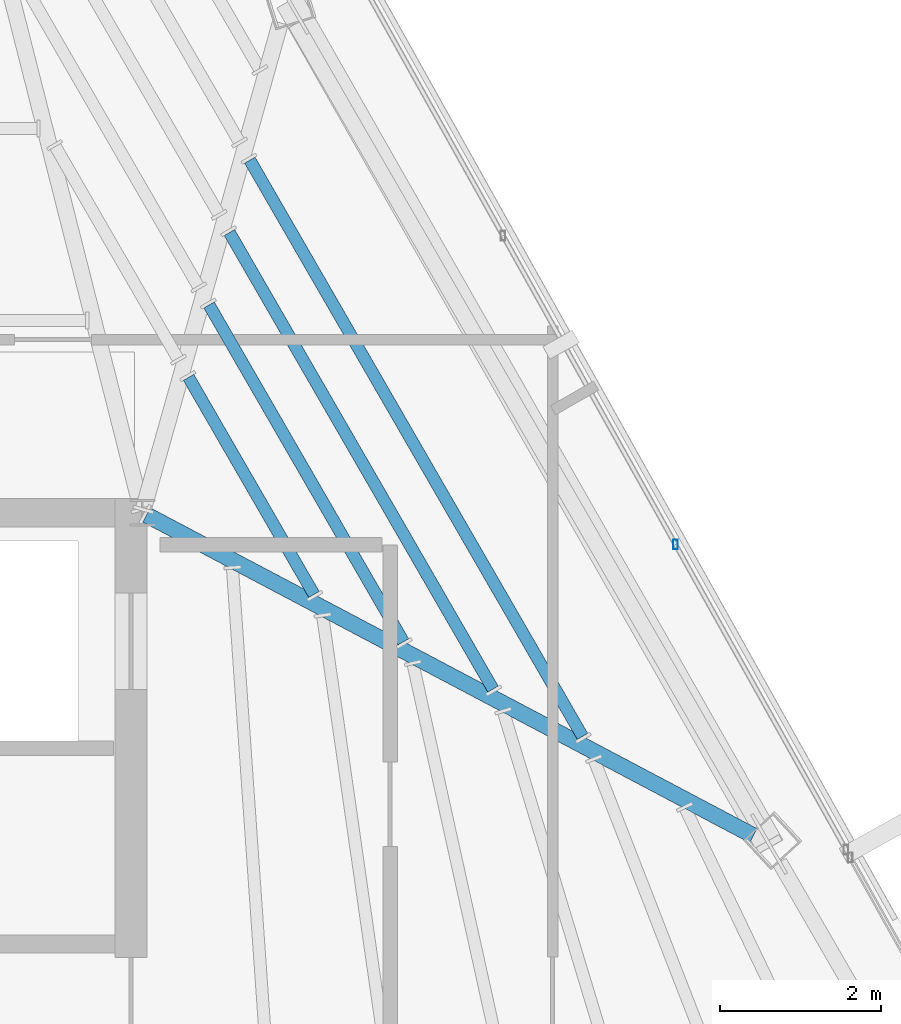
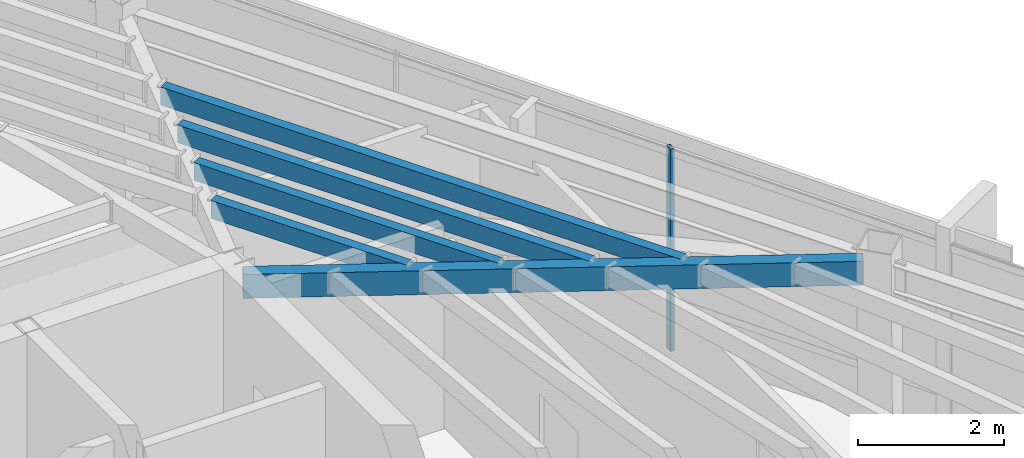
# One storey, part 28 of 48: 5 beams, 1 member, 1 element without a shape of its own.
"""IFC4 building model written with IfcOpenShell, lengths in metres."""

from ifc_helpers import new_model, si_unit, direction, frame, origin, origin_2d, place, context, subcontext, project, spatial, hollow_rectangle, extrude, source, transform, mapped, material, material_profile, profile_set, type_object, type_shapes, element, aggregate, save


model = new_model("IFC4")

# Units and contexts
model_context = context("Model", 3, precision=1e-05, world=origin(), true_north=direction((0.0, 1.0)))
body_context = subcontext(model_context, "Body", "Model", "MODEL_VIEW")
ifc_project = project(units=[si_unit("LENGTHUNIT", "METRE"), si_unit("AREAUNIT", "SQUARE_METRE"), si_unit("VOLUMEUNIT", "CUBIC_METRE"), si_unit("PLANEANGLEUNIT", "RADIAN"), si_unit("MASSUNIT", "GRAM", prefix="KILO")], contexts=[model_context])

# Site, building, storey
site_placement = place(None, origin())
site = spatial("IfcSite", under=ifc_project, at=site_placement, CompositionType="ELEMENT")
building_placement = place(site_placement, origin())
building = spatial("IfcBuilding", under=site, at=building_placement, Name="Caelisora Broadcast Tower", CompositionType="ELEMENT")
storey_placement = place(building_placement, frame((0.0, 0.0, 277.300048828125)))
storey = spatial("IfcBuildingStorey", under=building, at=storey_placement, Name="L73", CompositionType="ELEMENT", Elevation=277.300048828125)

# Beams
ifc_material_1 = material(Name="Steel Grade 350 (AS/NZS 1163 C350L0)", Category="steel")
ifc_material_profile_1 = material_profile(ifc_material_1, hollow_rectangle(XDim=0.199951171875, YDim=0.39990234375, WallThickness=0.012451171875, at=origin_2d()), Name="Steel Grade 350 (AS/NZS 1163 C350L0)")
ifc_profile_set_1 = profile_set([ifc_material_profile_1], Name="Steel Grade 350 (AS/NZS 1163 C350L0)")
beam_type_1 = type_object("IfcBeamType", Name="PG07", PredefinedType="BEAM", material=ifc_profile_set_1)
shared_shape_1 = source(origin(), body_context, "Body", "SweptSolid", [
    extrude(hollow_rectangle(XDim=0.199951171875, YDim=0.39990234375, WallThickness=0.012451171875, at=origin_2d()), origin(), (0.0, 0.0, 1.0), 8.531005859375),
])
type_shapes(beam_type_1, [shared_shape_1])
beam_1_placement = place(storey_placement, frame((45.552978515625, 29.971923828125, 3.199951171875), z_axis=(0.88404882437, -0.46739456151, 0.0), x_axis=(0.46739456151, 0.88404882437, 0.0)))
element("IfcBeam", 1, at=beam_1_placement, inside=storey, type_object=beam_type_1, Name="L73 beam PG07", PredefinedType="BEAM", context=body_context, shape_type="MappedRepresentation", body=[
    mapped(shared_shape_1, transform((0.0, 0.0, 0.0), scale=1.0)),
])
ifc_material_profile_2 = material_profile(ifc_material_1, hollow_rectangle(XDim=0.14990234375, YDim=0.300048828125, WallThickness=0.010009765625, at=origin_2d()), Name="Steel Grade 350 (AS/NZS 1163 C350L0)")
ifc_profile_set_2 = profile_set([ifc_material_profile_2], Name="Steel Grade 350 (AS/NZS 1163 C350L0)")
beam_type_2 = type_object("IfcBeamType", Name="SB05", PredefinedType="JOIST", material=ifc_profile_set_2)
shared_shape_2 = source(origin(), body_context, "Body", "SweptSolid", [
    extrude(hollow_rectangle(XDim=0.14990234375, YDim=0.300048828125, WallThickness=0.010009765625, at=origin_2d()), origin(), (0.0, 0.0, 1.0), 3.115478515625),
])
beam_2_placement = place(storey_placement, frame((47.633056640625, 28.983642578125, 3.25), z_axis=(-0.500041268423, 0.866001576138, 0.0), x_axis=(-0.866001576138, -0.500041268423, 0.0)))
element("IfcBeam", 2, at=beam_2_placement, inside=storey, type_object=beam_type_2, Name="L73 beam SB05", PredefinedType="JOIST", context=body_context, shape_type="MappedRepresentation", body=[
    mapped(shared_shape_2, transform((0.0, 0.0, 0.0), scale=1.0)),
])
shared_shape_3 = source(origin(), body_context, "Body", "SweptSolid", [
    extrude(hollow_rectangle(XDim=0.14990234375, YDim=0.300048828125, WallThickness=0.010009765625, at=origin_2d()), origin(), (0.0, 0.0, 1.0), 4.833740234375),
])
beam_3_placement = place(storey_placement, frame((48.74560546875, 28.395263671875, 3.25), z_axis=(-0.499968745979, 0.86604344755, 0.0), x_axis=(-0.86604344755, -0.499968745979, 0.0)))
element("IfcBeam", 3, at=beam_3_placement, inside=storey, type_object=beam_type_2, Name="L73 beam SB05", PredefinedType="JOIST", context=body_context, shape_type="MappedRepresentation", body=[
    mapped(shared_shape_3, transform((0.0, 0.0, 0.0), scale=1.0)),
])
shared_shape_4 = source(origin(), body_context, "Body", "SweptSolid", [
    extrude(hollow_rectangle(XDim=0.14990234375, YDim=0.300048828125, WallThickness=0.010009765625, at=origin_2d()), origin(), (0.0, 0.0, 1.0), 6.552490234375),
])
beam_4_placement = place(storey_placement, frame((49.8583984375, 27.806884765625, 3.25), z_axis=(-0.49997402144, 0.866040401994, 0.0), x_axis=(-0.866040401994, -0.49997402144, 0.0)))
element("IfcBeam", 4, at=beam_4_placement, inside=storey, type_object=beam_type_2, Name="L73 beam SB05", PredefinedType="JOIST", context=body_context, shape_type="MappedRepresentation", body=[
    mapped(shared_shape_4, transform((0.0, 0.0, 0.0), scale=1.0)),
])
shared_shape_5 = source(origin(), body_context, "Body", "SweptSolid", [
    extrude(hollow_rectangle(XDim=0.14990234375, YDim=0.300048828125, WallThickness=0.010009765625, at=origin_2d()), origin(), (0.0, 0.0, 1.0), 8.27099609375),
])
type_shapes(beam_type_2, [shared_shape_2, shared_shape_3, shared_shape_4, shared_shape_5])
beam_5_placement = place(storey_placement, frame((50.97119140625, 27.21875, 3.25), z_axis=(-0.500002666615, 0.866023864208, 0.0), x_axis=(-0.866023864208, -0.500002666615, 0.0)))
element("IfcBeam", 5, at=beam_5_placement, inside=storey, type_object=beam_type_2, Name="L73 beam SB05", PredefinedType="JOIST", context=body_context, shape_type="MappedRepresentation", body=[
    mapped(shared_shape_5, transform((0.0, 0.0, 0.0), scale=1.0)),
])

# Curtain wall, member
ifc_material_2 = material(Name="Unitised Aluminium Insulated Shadow-Box Spandrel Curtain Wall", Category="aluminium")
curtain_wall_type = type_object("IfcCurtainWallType", Name="CW-SP3", PredefinedType="NOTDEFINED", material=ifc_material_2)
curtain_wall_placement = place(storey_placement, origin())
curtain_wall = element("IfcCurtainWall", 6, at=curtain_wall_placement, inside=storey, type_object=curtain_wall_type, Name="L73 curtain wall CW-SP3", PredefinedType="NOTDEFINED")
ifc_material_3 = material(Name="Aluminium 6063-T6 Anodised Terracotta Bronze", Category="aluminium")
ifc_material_profile_3 = material_profile(ifc_material_3, hollow_rectangle(XDim=0.06005859375, YDim=0.1201171875, WallThickness=0.0029296875, at=origin_2d()), Name="Aluminium 6063-T6 Anodised Terracotta Bronze")
ifc_profile_set_3 = profile_set([ifc_material_profile_3], Name="Aluminium 6063-T6 Anodised Terracotta Bronze")
member_type = type_object("IfcMemberType", Name="CWM-04", PredefinedType="MULLION", material=ifc_profile_set_3)
shared_shape_6 = source(origin(), body_context, "Body", "SweptSolid", [
    extrude(hollow_rectangle(XDim=0.06005859375, YDim=0.1201171875, WallThickness=0.0029296875, at=origin_2d()), origin(), (0.0, 0.0, 1.0), 3.39990234375),
])
type_shapes(member_type, [shared_shape_6])
member_placement = place(storey_placement, frame((52.126220703125, 29.60498046875, 0.0), z_axis=(0.0, 0.0, 1.0), x_axis=(1.0, 0.0, 0.0)))
member = element("IfcMember", 7, at=member_placement, type_object=member_type, Name="L73-CW-B02 mullion #2", PredefinedType="MULLION", context=body_context, shape_type="MappedRepresentation", body=[
    mapped(shared_shape_6, transform((0.0, 0.0, 0.0), scale=1.0)),
])
aggregate(curtain_wall, [member])

save(model, "model.ifc")
